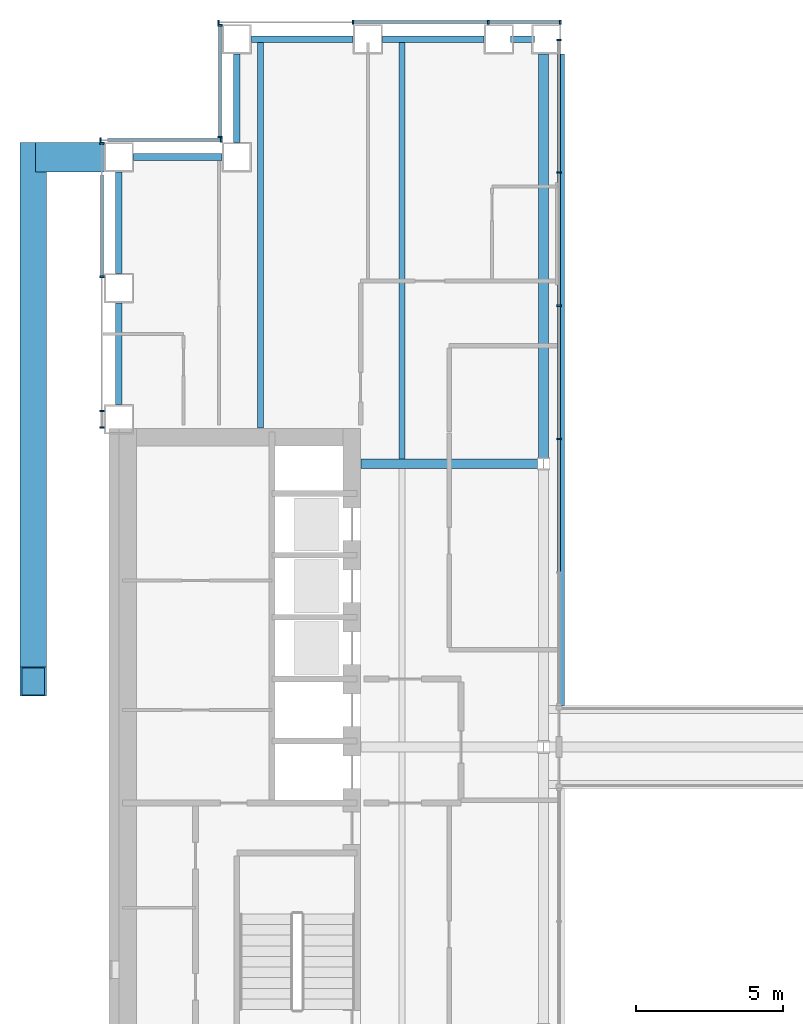
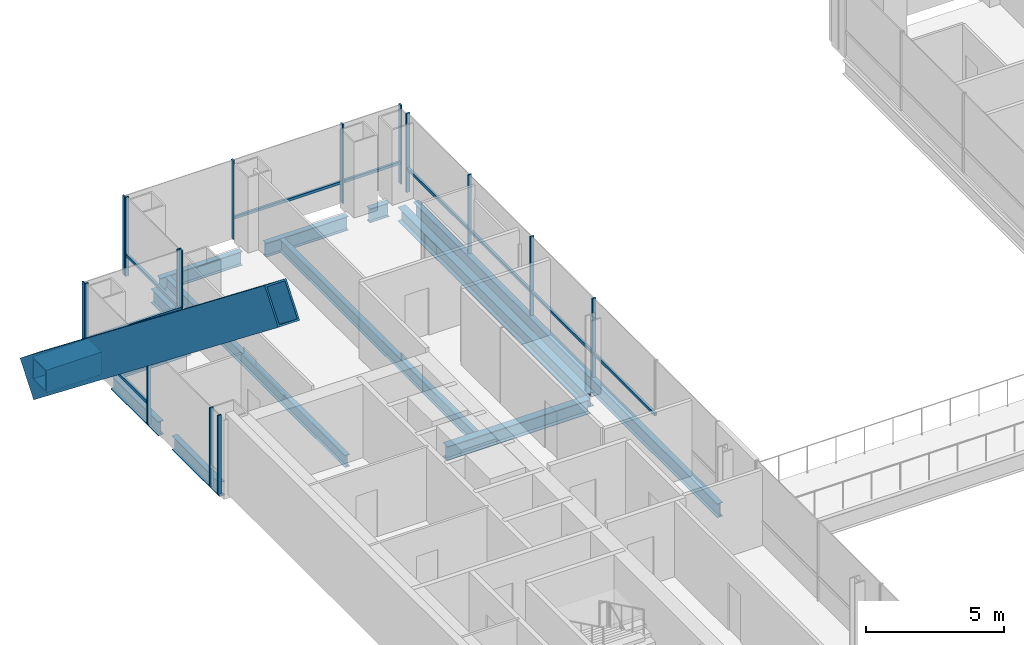
# One storey, part 6 of 19: 26 members, 13 beams, 5 elements without a shape of their own.
"""IFC4 building model written with IfcOpenShell, lengths in metres."""

from ifc_helpers import new_model, si_unit, direction, frame, origin, origin_2d, place, context, subcontext, project, spatial, rectangle, hollow_rectangle, i_section, extrude, material, material_profile, profile_set, type_object, element, aggregate, save


model = new_model("IFC4")

# Units and contexts
model_context = context("Model", 3, precision=1e-05, world=origin(), true_north=direction((0.0, 1.0)))
body_context = subcontext(model_context, "Body", "Model", "MODEL_VIEW")
ifc_project = project(units=[si_unit("LENGTHUNIT", "METRE"), si_unit("AREAUNIT", "SQUARE_METRE"), si_unit("VOLUMEUNIT", "CUBIC_METRE"), si_unit("PLANEANGLEUNIT", "RADIAN"), si_unit("MASSUNIT", "GRAM", prefix="KILO")], contexts=[model_context])

# Site, building, storey
site_placement = place(None, origin())
site = spatial("IfcSite", under=ifc_project, at=site_placement, CompositionType="ELEMENT")
building_placement = place(site_placement, origin())
building = spatial("IfcBuilding", under=site, at=building_placement, Name="Cobrizo Arcos Hotel Tower", CompositionType="ELEMENT")
storey_placement = place(building_placement, frame((0.0, 0.0, 70.5)))
storey = spatial("IfcBuildingStorey", under=building, at=storey_placement, Name="L16", CompositionType="ELEMENT", Elevation=70.5)

# Beam
ifc_material_1 = material(Name="Steel ASTM A572 Grade 50", Category="steel")
ifc_material_profile_1 = material_profile(ifc_material_1, hollow_rectangle(XDim=1.0, YDim=1.0, WallThickness=0.06005859375, at=origin_2d()), Name="BOX 1000X1000X60")
ifc_profile_set_1 = profile_set([ifc_material_profile_1], Name="Steel ASTM A572 Grade 50")
beam_type_1 = type_object("IfcBeamType", Name="BOX 1000X1000X60 brace connector strut", PredefinedType="BEAM", material=ifc_profile_set_1)
beam_1_placement = place(storey_placement, frame((-24.489990234375, 20.0, 0.5), z_axis=(-1.0, 0.0, 0.0), x_axis=(0.0, -1.0, 0.0)))
element("IfcBeam", 1, at=beam_1_placement, inside=storey, type_object=beam_type_1, Name="Perimeter brace stub BS1, zone Z1, west face, offset +20.00 m, L16", PredefinedType="BEAM", context=body_context, shape_type="SweptSolid", body=[
    extrude(hollow_rectangle(XDim=1.0, YDim=1.0, WallThickness=0.06005859375, at=origin_2d()), origin(), (0.0, 0.0, 1.0), 2.330078125),
])

# Member
ifc_material_profile_2 = material_profile(ifc_material_1, hollow_rectangle(XDim=0.89990234375, YDim=1.60009765625, WallThickness=0.070068359375, at=origin_2d()), Name="BOX 900X1600X70")
ifc_profile_set_2 = profile_set([ifc_material_profile_2], Name="Steel ASTM A572 Grade 50")
member_type_1 = type_object("IfcMemberType", Name="BOX 900X1600X70 perimeter brace", PredefinedType="BRACE", material=ifc_profile_set_2)
member_1_placement = place(storey_placement, frame((-26.89990234375, 20.0, 0.5), z_axis=(0.0, -0.785637232407, 0.618687432437), x_axis=(1.0, 0.0, 0.0)))
element("IfcMember", 2, at=member_1_placement, inside=storey, type_object=member_type_1, Name="Perimeter brace PBR1, zone Z1, west face, no. 05", PredefinedType="BRACE", context=body_context, shape_type="SweptSolid", body=[
    extrude(hollow_rectangle(XDim=0.89990234375, YDim=1.60009765625, WallThickness=0.070068359375, at=origin_2d()), origin(), (0.0, 0.0, 1.0), 22.628662109375),
])

# Curtain wall, members
ifc_material_2 = material(Name="Aluminium 6063-T6 anodised bronze", Category="aluminium")
curtain_wall_type_1 = type_object("IfcCurtainWallType", Name="CW-A guest facade", PredefinedType="NOTDEFINED", material=ifc_material_2)
curtain_wall_1_placement = place(storey_placement, origin())
curtain_wall_1 = element("IfcCurtainWall", 3, at=curtain_wall_1_placement, inside=storey, type_object=curtain_wall_type_1, Name="CW-A L16 N face", PredefinedType="NOTDEFINED")
ifc_material_profile_3 = material_profile(ifc_material_2, rectangle(XDim=0.14990234375, YDim=0.06005859375, at=origin_2d()), Name="CW-A mullion 150x60")
ifc_profile_set_3 = profile_set([ifc_material_profile_3], Name="Aluminium 6063-T6 anodised bronze")
member_type_2 = type_object("IfcMemberType", Name="CW-A mullion 150x60", PredefinedType="MULLION", material=ifc_profile_set_3)
member_2_placement = place(storey_placement, frame((-9.030029296875, 24.574951171875, 0.0), z_axis=(0.0, 0.0, 1.0), x_axis=(0.0, 1.0, 0.0)))
member_2 = element("IfcMember", 4, at=member_2_placement, type_object=member_type_2, Name="CW-A mullion 1", PredefinedType="MULLION", context=body_context, shape_type="SweptSolid", body=[
    extrude(rectangle(XDim=0.14990234375, YDim=0.06005859375, at=origin_2d()), origin(), (0.0, 0.0, 1.0), 3.5),
])
member_3_placement = place(storey_placement, frame((-11.47216796875, 24.574951171875, 0.0), z_axis=(0.0, 0.0, 1.0), x_axis=(0.0, 1.0, 0.0)))
member_3 = element("IfcMember", 5, at=member_3_placement, type_object=member_type_2, Name="CW-A mullion 2", PredefinedType="MULLION", context=body_context, shape_type="SweptSolid", body=[
    extrude(rectangle(XDim=0.14990234375, YDim=0.06005859375, at=origin_2d()), origin(), (0.0, 0.0, 1.0), 3.5),
])
member_4_placement = place(storey_placement, frame((-16.06103515625, 24.574951171875, 0.0), z_axis=(0.0, 0.0, 1.0), x_axis=(0.0, 1.0, 0.0)))
member_4 = element("IfcMember", 6, at=member_4_placement, type_object=member_type_2, Name="CW-A mullion 3", PredefinedType="MULLION", context=body_context, shape_type="SweptSolid", body=[
    extrude(rectangle(XDim=0.14990234375, YDim=0.06005859375, at=origin_2d()), origin(), (0.0, 0.0, 1.0), 3.5),
])
member_5_placement = place(storey_placement, frame((-20.6201171875, 24.574951171875, 0.0), z_axis=(0.0, 0.0, 1.0), x_axis=(0.0, 1.0, 0.0)))
member_5 = element("IfcMember", 7, at=member_5_placement, type_object=member_type_2, Name="CW-A mullion 4", PredefinedType="MULLION", context=body_context, shape_type="SweptSolid", body=[
    extrude(rectangle(XDim=0.14990234375, YDim=0.06005859375, at=origin_2d()), origin(), (0.0, 0.0, 1.0), 3.5),
])

curtain_wall_2_placement = place(storey_placement, origin())
curtain_wall_2 = element("IfcCurtainWall", 8, at=curtain_wall_2_placement, inside=storey, type_object=curtain_wall_type_1, Name="CW-A L16 W face", PredefinedType="NOTDEFINED")
member_6_placement = place(storey_placement, frame((-20.574951171875, 24.469970703125, 0.0), z_axis=(0.0, 0.0, 1.0), x_axis=(-1.0, 0.0, 0.0)))
member_6 = element("IfcMember", 9, at=member_6_placement, type_object=member_type_2, Name="CW-A mullion 1", PredefinedType="MULLION", context=body_context, shape_type="SweptSolid", body=[
    extrude(rectangle(XDim=0.14990234375, YDim=0.06005859375, at=origin_2d()), origin(), (0.0, 0.0, 1.0), 3.5),
])
member_7_placement = place(storey_placement, frame((-20.574951171875, 20.679931640625, 0.0), z_axis=(0.0, 0.0, 1.0), x_axis=(-1.0, 0.0, 0.0)))
member_7 = element("IfcMember", 10, at=member_7_placement, type_object=member_type_2, Name="CW-A mullion 2", PredefinedType="MULLION", context=body_context, shape_type="SweptSolid", body=[
    extrude(rectangle(XDim=0.14990234375, YDim=0.06005859375, at=origin_2d()), origin(), (0.0, 0.0, 1.0), 3.5),
])

curtain_wall_3_placement = place(storey_placement, origin())
curtain_wall_3 = element("IfcCurtainWall", 11, at=curtain_wall_3_placement, inside=storey, type_object=curtain_wall_type_1, Name="CW-A L16 N face", PredefinedType="NOTDEFINED")
member_8_placement = place(storey_placement, frame((-20.530029296875, 20.574951171875, 0.0), z_axis=(0.0, 0.0, 1.0), x_axis=(0.0, 1.0, 0.0)))
member_8 = element("IfcMember", 12, at=member_8_placement, type_object=member_type_2, Name="CW-A mullion 1", PredefinedType="MULLION", context=body_context, shape_type="SweptSolid", body=[
    extrude(rectangle(XDim=0.14990234375, YDim=0.06005859375, at=origin_2d()), origin(), (0.0, 0.0, 1.0), 3.5),
])
member_9_placement = place(storey_placement, frame((-24.6201171875, 20.574951171875, 0.0), z_axis=(0.0, 0.0, 1.0), x_axis=(0.0, 1.0, 0.0)))
member_9 = element("IfcMember", 13, at=member_9_placement, type_object=member_type_2, Name="CW-A mullion 2", PredefinedType="MULLION", context=body_context, shape_type="SweptSolid", body=[
    extrude(rectangle(XDim=0.14990234375, YDim=0.06005859375, at=origin_2d()), origin(), (0.0, 0.0, 1.0), 3.5),
])

curtain_wall_4_placement = place(storey_placement, origin())
curtain_wall_4 = element("IfcCurtainWall", 14, at=curtain_wall_4_placement, inside=storey, type_object=curtain_wall_type_1, Name="CW-A L16 W face", PredefinedType="NOTDEFINED")
member_10_placement = place(storey_placement, frame((-24.574951171875, 20.469970703125, 0.0), z_axis=(0.0, 0.0, 1.0), x_axis=(-1.0, 0.0, 0.0)))
member_10 = element("IfcMember", 15, at=member_10_placement, type_object=member_type_2, Name="CW-A mullion 1", PredefinedType="MULLION", context=body_context, shape_type="SweptSolid", body=[
    extrude(rectangle(XDim=0.14990234375, YDim=0.06005859375, at=origin_2d()), origin(), (0.0, 0.0, 1.0), 3.5),
])
member_11_placement = place(storey_placement, frame((-24.574951171875, 15.9443359375, 0.0), z_axis=(0.0, 0.0, 1.0), x_axis=(-1.0, 0.0, 0.0)))
member_11 = element("IfcMember", 16, at=member_11_placement, type_object=member_type_2, Name="CW-A mullion 2", PredefinedType="MULLION", context=body_context, shape_type="SweptSolid", body=[
    extrude(rectangle(XDim=0.14990234375, YDim=0.06005859375, at=origin_2d()), origin(), (0.0, 0.0, 1.0), 3.5),
])
member_12_placement = place(storey_placement, frame((-24.574951171875, 11.388916015625, 0.0), z_axis=(0.0, 0.0, 1.0), x_axis=(-1.0, 0.0, 0.0)))
member_12 = element("IfcMember", 17, at=member_12_placement, type_object=member_type_2, Name="CW-A mullion 3", PredefinedType="MULLION", context=body_context, shape_type="SweptSolid", body=[
    extrude(rectangle(XDim=0.14990234375, YDim=0.06005859375, at=origin_2d()), origin(), (0.0, 0.0, 1.0), 3.5),
])
member_13_placement = place(storey_placement, frame((-24.574951171875, 10.830078125, 0.0), z_axis=(0.0, 0.0, 1.0), x_axis=(-1.0, 0.0, 0.0)))
member_13 = element("IfcMember", 18, at=member_13_placement, type_object=member_type_2, Name="CW-A mullion 4", PredefinedType="MULLION", context=body_context, shape_type="SweptSolid", body=[
    extrude(rectangle(XDim=0.14990234375, YDim=0.06005859375, at=origin_2d()), origin(), (0.0, 0.0, 1.0), 3.5),
])

# Member
ifc_material_profile_4 = material_profile(ifc_material_2, rectangle(XDim=0.10009765625, YDim=0.1201171875, at=origin_2d()), Name="CW-A transom 120x100")
ifc_profile_set_4 = profile_set([ifc_material_profile_4], Name="Aluminium 6063-T6 anodised bronze")
member_type_3 = type_object("IfcMemberType", Name="CW-A transom 120x100", PredefinedType="USERDEFINED", material=ifc_profile_set_4)
member_14_placement = place(storey_placement, frame((-9.06005859375, 24.574951171875, 0.929931640625), z_axis=(-1.0, 0.0, 0.0), x_axis=(0.0, -1.0, 0.0)))
member_14 = element("IfcMember", 19, at=member_14_placement, type_object=member_type_3, Name="CW-A transom 704", ObjectType="TRANSOM", PredefinedType="USERDEFINED", context=body_context, shape_type="SweptSolid", body=[
    extrude(rectangle(XDim=0.10009765625, YDim=0.1201171875, at=origin_2d()), origin(), (0.0, 0.0, 1.0), 2.382080078125),
])

member_15_placement = place(storey_placement, frame((-11.502197265625, 24.574951171875, 0.929931640625), z_axis=(-1.0, 0.0, 0.0), x_axis=(0.0, -1.0, 0.0)))
member_15 = element("IfcMember", 20, at=member_15_placement, type_object=member_type_3, Name="CW-A transom 705", ObjectType="TRANSOM", PredefinedType="USERDEFINED", context=body_context, shape_type="SweptSolid", body=[
    extrude(rectangle(XDim=0.10009765625, YDim=0.1201171875, at=origin_2d()), origin(), (0.0, 0.0, 1.0), 4.52880859375),
])

aggregate(curtain_wall_1, [member_2, member_3, member_4, member_5, member_14, member_15])

member_16_placement = place(storey_placement, frame((-20.574951171875, 24.43994140625, 0.929931640625), z_axis=(0.0, -1.0, 0.0), x_axis=(1.0, 0.0, 0.0)))
member_16 = element("IfcMember", 21, at=member_16_placement, type_object=member_type_3, Name="CW-A transom 707", ObjectType="TRANSOM", PredefinedType="USERDEFINED", context=body_context, shape_type="SweptSolid", body=[
    extrude(rectangle(XDim=0.10009765625, YDim=0.1201171875, at=origin_2d()), origin(), (0.0, 0.0, 1.0), 3.72998046875),
])

aggregate(curtain_wall_2, [member_6, member_7, member_16])

member_17_placement = place(storey_placement, frame((-20.56005859375, 20.574951171875, 0.929931640625), z_axis=(-1.0, 0.0, 0.0), x_axis=(0.0, -1.0, 0.0)))
member_17 = element("IfcMember", 22, at=member_17_placement, type_object=member_type_3, Name="CW-A transom 708", ObjectType="TRANSOM", PredefinedType="USERDEFINED", context=body_context, shape_type="SweptSolid", body=[
    extrude(rectangle(XDim=0.10009765625, YDim=0.1201171875, at=origin_2d()), origin(), (0.0, 0.0, 1.0), 3.829833984375),
])

aggregate(curtain_wall_3, [member_8, member_9, member_17])

member_18_placement = place(storey_placement, frame((-24.574951171875, 19.39990234375, 0.929931640625), z_axis=(0.0, -1.0, 0.0), x_axis=(1.0, 0.0, 0.0)))
member_18 = element("IfcMember", 23, at=member_18_placement, type_object=member_type_3, Name="CW-A transom 709", ObjectType="TRANSOM", PredefinedType="USERDEFINED", context=body_context, shape_type="SweptSolid", body=[
    extrude(rectangle(XDim=0.10009765625, YDim=0.1201171875, at=origin_2d()), origin(), (0.0, 0.0, 1.0), 3.425537109375),
])

aggregate(curtain_wall_4, [member_10, member_11, member_12, member_13, member_18])

# Curtain wall, members
curtain_wall_type_2 = type_object("IfcCurtainWallType", Name="CW-F void screen", PredefinedType="NOTDEFINED", material=ifc_material_2)
curtain_wall_5_placement = place(storey_placement, origin())
curtain_wall_5 = element("IfcCurtainWall", 24, at=curtain_wall_5_placement, inside=storey, type_object=curtain_wall_type_2, Name="CW-F L16 void screen A", PredefinedType="NOTDEFINED")
ifc_material_profile_5 = material_profile(ifc_material_2, rectangle(XDim=0.14990234375, YDim=0.06005859375, at=origin_2d()), Name="CW-F mullion 150x60")
ifc_profile_set_5 = profile_set([ifc_material_profile_5], Name="Aluminium 6063-T6 anodised bronze")
member_type_4 = type_object("IfcMemberType", Name="CW-F mullion 150x60", PredefinedType="MULLION", material=ifc_profile_set_5)
member_19_placement = place(storey_placement, frame((-9.074951171875, 23.969970703125, 0.0), z_axis=(0.0, 0.0, 1.0), x_axis=(-1.0, 0.0, 0.0)))
member_19 = element("IfcMember", 25, at=member_19_placement, type_object=member_type_4, Name="CW-F mullion 1", PredefinedType="MULLION", context=body_context, shape_type="SweptSolid", body=[
    extrude(rectangle(XDim=0.14990234375, YDim=0.06005859375, at=origin_2d()), origin(), (0.0, 0.0, 1.0), 3.5),
])
member_20_placement = place(storey_placement, frame((-9.074951171875, 19.47998046875, 0.0), z_axis=(0.0, 0.0, 1.0), x_axis=(-1.0, 0.0, 0.0)))
member_20 = element("IfcMember", 26, at=member_20_placement, type_object=member_type_4, Name="CW-F mullion 2", PredefinedType="MULLION", context=body_context, shape_type="SweptSolid", body=[
    extrude(rectangle(XDim=0.14990234375, YDim=0.06005859375, at=origin_2d()), origin(), (0.0, 0.0, 1.0), 3.5),
])
member_21_placement = place(storey_placement, frame((-9.074951171875, 14.9599609375, 0.0), z_axis=(0.0, 0.0, 1.0), x_axis=(-1.0, 0.0, 0.0)))
member_21 = element("IfcMember", 27, at=member_21_placement, type_object=member_type_4, Name="CW-F mullion 3", PredefinedType="MULLION", context=body_context, shape_type="SweptSolid", body=[
    extrude(rectangle(XDim=0.14990234375, YDim=0.06005859375, at=origin_2d()), origin(), (0.0, 0.0, 1.0), 3.5),
])
member_22_placement = place(storey_placement, frame((-9.074951171875, 10.43994140625, 0.0), z_axis=(0.0, 0.0, 1.0), x_axis=(-1.0, 0.0, 0.0)))
member_22 = element("IfcMember", 28, at=member_22_placement, type_object=member_type_4, Name="CW-F mullion 4", PredefinedType="MULLION", context=body_context, shape_type="SweptSolid", body=[
    extrude(rectangle(XDim=0.14990234375, YDim=0.06005859375, at=origin_2d()), origin(), (0.0, 0.0, 1.0), 3.5),
])
ifc_material_profile_6 = material_profile(ifc_material_2, rectangle(XDim=0.10009765625, YDim=0.1201171875, at=origin_2d()), Name="CW-F transom 120x100")
ifc_profile_set_6 = profile_set([ifc_material_profile_6], Name="Aluminium 6063-T6 anodised bronze")
member_type_5 = type_object("IfcMemberType", Name="CW-F transom 120x100", PredefinedType="USERDEFINED", material=ifc_profile_set_6)
member_23_placement = place(storey_placement, frame((-9.074951171875, 23.93994140625, 1.050048828125), z_axis=(0.0, -1.0, 0.0), x_axis=(1.0, 0.0, 0.0)))
member_23 = element("IfcMember", 29, at=member_23_placement, type_object=member_type_5, Name="CW-F transom 2498", ObjectType="TRANSOM", PredefinedType="USERDEFINED", context=body_context, shape_type="SweptSolid", body=[
    extrude(rectangle(XDim=0.10009765625, YDim=0.1201171875, at=origin_2d()), origin(), (0.0, 0.0, 1.0), 4.429931640625),
])
member_24_placement = place(storey_placement, frame((-9.074951171875, 19.449951171875, 1.050048828125), z_axis=(0.0, -1.0, 0.0), x_axis=(1.0, 0.0, 0.0)))
member_24 = element("IfcMember", 30, at=member_24_placement, type_object=member_type_5, Name="CW-F transom 2499", ObjectType="TRANSOM", PredefinedType="USERDEFINED", context=body_context, shape_type="SweptSolid", body=[
    extrude(rectangle(XDim=0.10009765625, YDim=0.1201171875, at=origin_2d()), origin(), (0.0, 0.0, 1.0), 4.4599609375),
])
member_25_placement = place(storey_placement, frame((-9.074951171875, 14.929931640625, 1.050048828125), z_axis=(0.0, -1.0, 0.0), x_axis=(1.0, 0.0, 0.0)))
member_25 = element("IfcMember", 31, at=member_25_placement, type_object=member_type_5, Name="CW-F transom 2500", ObjectType="TRANSOM", PredefinedType="USERDEFINED", context=body_context, shape_type="SweptSolid", body=[
    extrude(rectangle(XDim=0.10009765625, YDim=0.1201171875, at=origin_2d()), origin(), (0.0, 0.0, 1.0), 4.4599609375),
])
member_26_placement = place(storey_placement, frame((-9.074951171875, 10.409912109375, 1.050048828125), z_axis=(0.0, -1.0, 0.0), x_axis=(1.0, 0.0, 0.0)))
member_26 = element("IfcMember", 32, at=member_26_placement, type_object=member_type_5, Name="CW-F transom 2501", ObjectType="TRANSOM", PredefinedType="USERDEFINED", context=body_context, shape_type="SweptSolid", body=[
    extrude(rectangle(XDim=0.10009765625, YDim=0.1201171875, at=origin_2d()), origin(), (0.0, 0.0, 1.0), 4.4599609375),
])
aggregate(curtain_wall_5, [member_19, member_20, member_21, member_22, member_23, member_24, member_25, member_26])

# Beams
ifc_material_3 = material(Name="Steel ASTM A992 Grade 50", Category="steel")
ifc_material_profile_7 = material_profile(ifc_material_3, i_section(OverallWidth=0.209228515625, OverallDepth=0.533447265625, WebThickness=0.01025390625, FlangeThickness=0.015625, at=origin_2d()), Name="W21X62")
ifc_profile_set_7 = profile_set([ifc_material_profile_7], Name="Steel ASTM A992 Grade 50")
beam_type_2 = type_object("IfcBeamType", Name="W21X62 joist", PredefinedType="JOIST", material=ifc_profile_set_7)
beam_2_placement = place(storey_placement, frame((-19.199951171875, 10.81005859375, -0.416748046875), z_axis=(0.0, 1.0, 0.0), x_axis=(-1.0, 0.0, 0.0)))
element("IfcBeam", 33, at=beam_2_placement, inside=storey, type_object=beam_type_2, Name="Floor joist J1, L16, no. 002", PredefinedType="JOIST", context=body_context, shape_type="SweptSolid", body=[
    extrude(i_section(OverallWidth=0.209228515625, OverallDepth=0.533447265625, WebThickness=0.01025390625, FlangeThickness=0.015625, at=origin_2d()), origin(), (0.0, 0.0, 1.0), 13.099853515625),
])
beam_3_placement = place(storey_placement, frame((-14.39990234375, 9.763916015625, -0.416748046875), z_axis=(0.0, 1.0, 0.0), x_axis=(-1.0, 0.0, 0.0)))
element("IfcBeam", 34, at=beam_3_placement, inside=storey, type_object=beam_type_2, Name="Floor joist J1, L16, no. 006", PredefinedType="JOIST", context=body_context, shape_type="SweptSolid", body=[
    extrude(i_section(OverallWidth=0.209228515625, OverallDepth=0.533447265625, WebThickness=0.01025390625, FlangeThickness=0.015625, at=origin_2d()), origin(), (0.0, 0.0, 1.0), 14.14599609375),
])
ifc_material_profile_8 = material_profile(ifc_material_3, i_section(OverallWidth=0.32763671875, OverallDepth=0.622314453125, WebThickness=0.015380859375, FlangeThickness=0.0244140625, at=origin_2d()), Name="W24X131")
ifc_profile_set_8 = profile_set([ifc_material_profile_8], Name="Steel ASTM A992 Grade 50")
beam_type_3 = type_object("IfcBeamType", Name="W24X131 girder", PredefinedType="BEAM", material=ifc_profile_set_8)
beam_4_placement = place(storey_placement, frame((-15.7900390625, 9.60009765625, -0.461181640625), z_axis=(1.0, 0.0, 0.0), x_axis=(0.0, 1.0, 0.0)))
element("IfcBeam", 35, at=beam_4_placement, inside=storey, type_object=beam_type_3, Name="Floor girder G1, L16, no. 006", PredefinedType="BEAM", context=body_context, shape_type="SweptSolid", body=[
    extrude(i_section(OverallWidth=0.32763671875, OverallDepth=0.622314453125, WebThickness=0.015380859375, FlangeThickness=0.0244140625, at=origin_2d()), origin(), (0.0, 0.0, 1.0), 5.985595703125),
])
beam_5_placement = place(storey_placement, frame((-9.60009765625, 9.804443359375, -0.461181640625), z_axis=(0.0, 1.0, 0.0), x_axis=(-1.0, 0.0, 0.0)))
element("IfcBeam", 36, at=beam_5_placement, inside=storey, type_object=beam_type_3, Name="Floor girder G1, L16, no. 011", PredefinedType="BEAM", context=body_context, shape_type="SweptSolid", body=[
    extrude(i_section(OverallWidth=0.32763671875, OverallDepth=0.622314453125, WebThickness=0.015380859375, FlangeThickness=0.0244140625, at=origin_2d()), origin(), (0.0, 0.0, 1.0), 13.695556640625),
])
ifc_material_profile_9 = material_profile(ifc_material_3, i_section(OverallWidth=0.23046875, OverallDepth=0.6171875, WebThickness=0.01318359375, FlangeThickness=0.022216796875, at=origin_2d()), Name="W24X94")
ifc_profile_set_9 = profile_set([ifc_material_profile_9], Name="Steel ASTM A992 Grade 50")
beam_type_4 = type_object("IfcBeamType", Name="W24X94 spandrel", PredefinedType="SPANDREL", material=ifc_profile_set_9)
beam_6_placement = place(storey_placement, frame((-24.0, 11.611083984375, -0.45849609375), z_axis=(0.0, 1.0, 0.0), x_axis=(-1.0, 0.0, 0.0)))
element("IfcBeam", 37, at=beam_6_placement, inside=storey, type_object=beam_type_4, Name="Spandrel beam W24X94, L16, no. 020", PredefinedType="SPANDREL", context=body_context, shape_type="SweptSolid", body=[
    extrude(i_section(OverallWidth=0.23046875, OverallDepth=0.6171875, WebThickness=0.01318359375, FlangeThickness=0.022216796875, at=origin_2d()), origin(), (0.0, 0.0, 1.0), 3.44482421875),
])
beam_7_placement = place(storey_placement, frame((-24.0, 16.055908203125, -0.45849609375), z_axis=(0.0, 1.0, 0.0), x_axis=(-1.0, 0.0, 0.0)))
element("IfcBeam", 38, at=beam_7_placement, inside=storey, type_object=beam_type_4, Name="Spandrel beam W24X94, L16, no. 021", PredefinedType="SPANDREL", context=body_context, shape_type="SweptSolid", body=[
    extrude(i_section(OverallWidth=0.23046875, OverallDepth=0.6171875, WebThickness=0.01318359375, FlangeThickness=0.022216796875, at=origin_2d()), origin(), (0.0, 0.0, 1.0), 3.444091796875),
])
for number, where, z_axis, x_axis, name in (
    (39, (-23.5, 20.0, -0.45849609375), (1.0, 0.0, 0.0), (0.0, 1.0, 0.0), "Spandrel beam W24X94, L16, no. 022"),
    (40, (-20.0, 20.5, -0.45849609375), (0.0, 1.0, 0.0), (-1.0, 0.0, 0.0), "Spandrel beam W24X94, L16, no. 023"),
):
    element("IfcBeam", number, at=place(storey_placement, frame(where, z_axis=z_axis, x_axis=x_axis)), inside=storey, type_object=beam_type_4, Name=name, PredefinedType="SPANDREL", context=body_context, shape_type="SweptSolid", body=[
        extrude(i_section(OverallWidth=0.23046875, OverallDepth=0.6171875, WebThickness=0.01318359375, FlangeThickness=0.022216796875, at=origin_2d()), origin(), (0.0, 0.0, 1.0), 3.0),
    ])
beam_8_placement = place(storey_placement, frame((-19.5, 24.0, -0.45849609375), z_axis=(1.0, 0.0, 0.0), x_axis=(0.0, 1.0, 0.0)))
element("IfcBeam", 41, at=beam_8_placement, inside=storey, type_object=beam_type_4, Name="Spandrel beam W24X94, L16, no. 024", PredefinedType="SPANDREL", context=body_context, shape_type="SweptSolid", body=[
    extrude(i_section(OverallWidth=0.23046875, OverallDepth=0.6171875, WebThickness=0.01318359375, FlangeThickness=0.022216796875, at=origin_2d()), origin(), (0.0, 0.0, 1.0), 3.444091796875),
])
beam_9_placement = place(storey_placement, frame((-15.055908203125, 24.0, -0.45849609375), z_axis=(1.0, 0.0, 0.0), x_axis=(0.0, 1.0, 0.0)))
element("IfcBeam", 42, at=beam_9_placement, inside=storey, type_object=beam_type_4, Name="Spandrel beam W24X94, L16, no. 025", PredefinedType="SPANDREL", context=body_context, shape_type="SweptSolid", body=[
    extrude(i_section(OverallWidth=0.23046875, OverallDepth=0.6171875, WebThickness=0.01318359375, FlangeThickness=0.022216796875, at=origin_2d()), origin(), (0.0, 0.0, 1.0), 3.44482421875),
])
beam_10_placement = place(storey_placement, frame((-10.7109375, 24.0, -0.45849609375), z_axis=(1.0, 0.0, 0.0), x_axis=(0.0, 1.0, 0.0)))
element("IfcBeam", 43, at=beam_10_placement, inside=storey, type_object=beam_type_4, Name="Spandrel beam W24X94, L16, no. 026", PredefinedType="SPANDREL", context=body_context, shape_type="SweptSolid", body=[
    extrude(i_section(OverallWidth=0.23046875, OverallDepth=0.6171875, WebThickness=0.01318359375, FlangeThickness=0.022216796875, at=origin_2d()), origin(), (0.0, 0.0, 1.0), 0.81103515625),
])
beam_11_placement = place(storey_placement, frame((-9.0, 23.5, -0.45849609375), z_axis=(0.0, -1.0, 0.0), x_axis=(1.0, 0.0, 0.0)))
element("IfcBeam", 44, at=beam_11_placement, inside=storey, type_object=beam_type_4, Name="Spandrel beam W24X94, L16, no. 027", PredefinedType="SPANDREL", context=body_context, shape_type="SweptSolid", body=[
    extrude(i_section(OverallWidth=0.23046875, OverallDepth=0.6171875, WebThickness=0.01318359375, FlangeThickness=0.022216796875, at=origin_2d()), origin(), (0.0, 0.0, 1.0), 22.10009765625),
])

save(model, "model.ifc")
